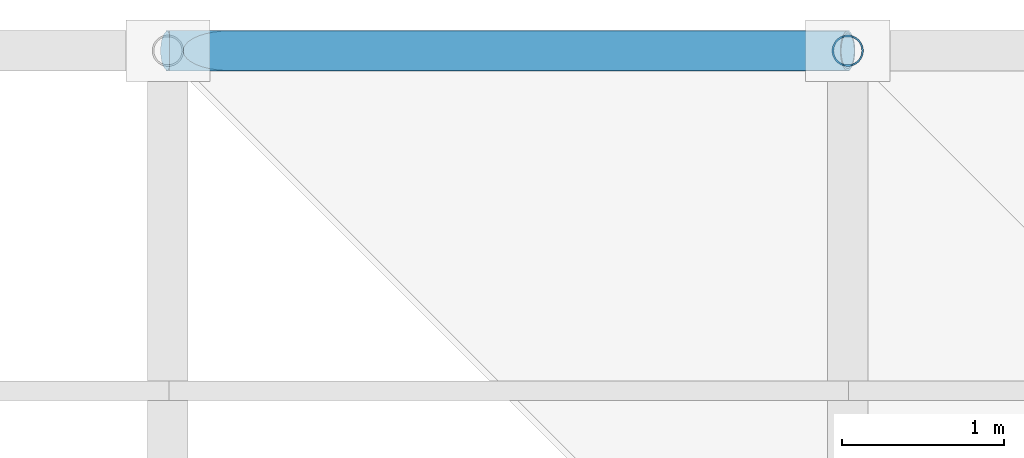
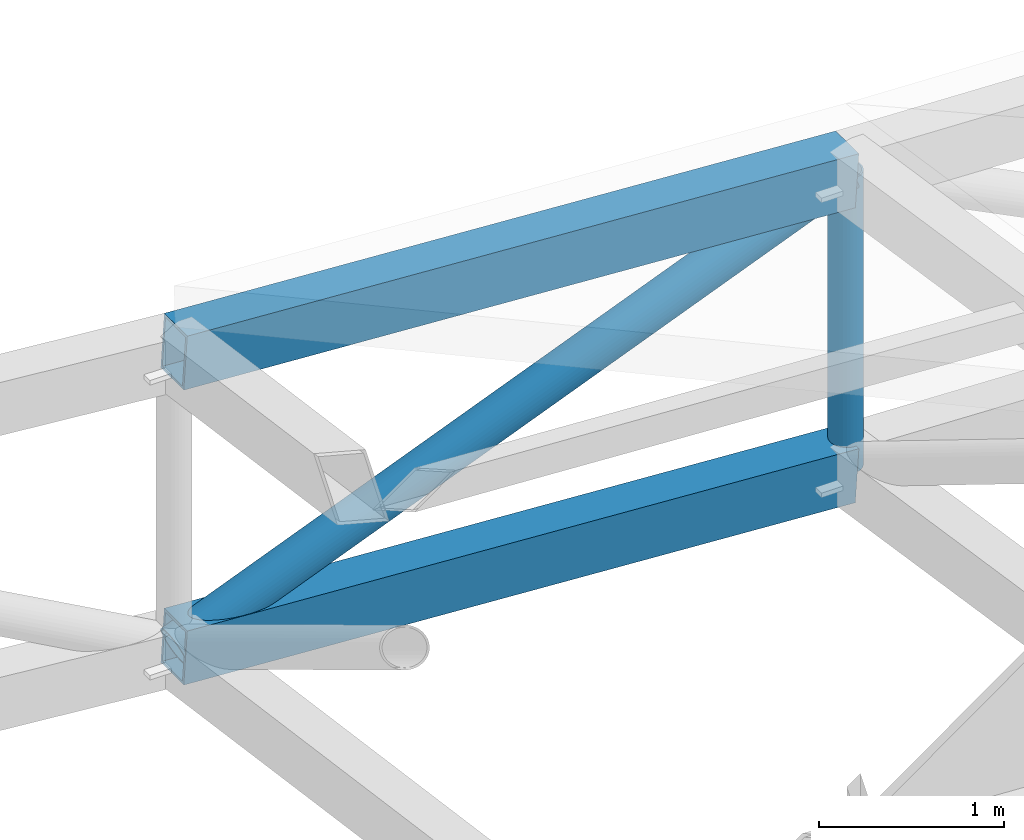
# One storey, part 38 of 111: 4 members.
"""IFC4 building model written with IfcOpenShell, lengths in metres."""

from ifc_helpers import new_model, si_unit, direction, frame, origin, origin_2d, place, context, subcontext, project, spatial, hollow_rectangle, hollow_circle, extrude, material, material_profile, profile_set, type_object, element, save


model = new_model("IFC4")

# Units and contexts
model_context = context("Model", 3, precision=1e-05, world=origin(), true_north=direction((0.0, 1.0)))
body_context = subcontext(model_context, "Body", "Model", "MODEL_VIEW")
ifc_project = project(units=[si_unit("LENGTHUNIT", "METRE"), si_unit("AREAUNIT", "SQUARE_METRE"), si_unit("VOLUMEUNIT", "CUBIC_METRE"), si_unit("PLANEANGLEUNIT", "RADIAN"), si_unit("MASSUNIT", "GRAM", prefix="KILO")], contexts=[model_context])

# Site, building, storey
site_placement = place(None, origin())
site = spatial("IfcSite", under=ifc_project, at=site_placement, CompositionType="ELEMENT")
building_placement = place(site_placement, origin())
building = spatial("IfcBuilding", under=site, at=building_placement, Name="Cumbredor Promenade Congress Hotel", CompositionType="ELEMENT")
storey_placement = place(building_placement, frame((0.0, 0.0, 15.1201171875)))
storey = spatial("IfcBuildingStorey", under=building, at=storey_placement, Name="L04", CompositionType="ELEMENT", Elevation=15.1201171875)

# Members
ifc_material = material(Name="Steel ASTM A500 Grade C", Category="steel")
ifc_material_profile_1 = material_profile(ifc_material, hollow_rectangle(XDim=0.25, YDim=0.35009765625, WallThickness=0.01611328125, at=origin_2d()), Name="HSS 350x250x16")
ifc_profile_set_1 = profile_set([ifc_material_profile_1], Name="Steel ASTM A500 Grade C")
member_type_1 = type_object("IfcMemberType", Name="Forum Roof Truss Chord", PredefinedType="CHORD", material=ifc_profile_set_1)
for number, where, z_axis, x_axis, name in (
    (1, (121.800048828125, 121.800048828125, 3.119384765625), (0.998024259177, 0.0, -0.06282975485), (0.0, 1.0, 0.0), "Pre-Function and Breakout Meeting Forum X Top Chord 9.11"),
    (2, (121.800048828125, 121.800048828125, 1.16943359375), (0.998024259177, 0.0, -0.06282975485), (0.0, 1.0, 0.0), "Pre-Function and Breakout Meeting Forum X Bottom Chord 9.11"),
):
    element("IfcMember", number, at=place(storey_placement, frame(where, z_axis=z_axis, x_axis=x_axis)), inside=storey, type_object=member_type_1, Name=name, PredefinedType="CHORD", context=body_context, shape_type="SweptSolid", body=[
        extrude(hollow_rectangle(XDim=0.25, YDim=0.35009765625, WallThickness=0.01611328125, at=origin_2d()), origin(), (0.0, 0.0, 1.0), 4.208251953125),
    ])
ifc_material_profile_2 = material_profile(ifc_material, hollow_circle(Radius=0.122314453125, WallThickness=0.012451171875, at=origin_2d()), Name="CHS 244.5x12.5")
ifc_profile_set_2 = profile_set([ifc_material_profile_2], Name="Steel ASTM A500 Grade C")
member_type_2 = type_object("IfcMemberType", Name="Space Frame Web Diagonal D2", PredefinedType="BRACE", material=ifc_profile_set_2)
member_1_placement = place(storey_placement, frame((121.800048828125, 121.800048828125, 1.16943359375), z_axis=(0.928051949605, 0.0, 0.372450773706), x_axis=(0.0, 1.0, 0.0)))
element("IfcMember", 3, at=member_1_placement, inside=storey, type_object=member_type_2, Name="Pre-Function and Breakout Meeting Forum X Web Diagonal 9.11", PredefinedType="BRACE", context=body_context, shape_type="SweptSolid", body=[
    extrude(hollow_circle(Radius=0.122314453125, WallThickness=0.012451171875, at=origin_2d()), origin(), (0.0, 0.0, 1.0), 4.525634765625),
])
ifc_material_profile_3 = material_profile(ifc_material, hollow_circle(Radius=0.096923828125, WallThickness=0.010009765625, at=origin_2d()), Name="CHS 193.7x10")
ifc_profile_set_3 = profile_set([ifc_material_profile_3], Name="Steel ASTM A500 Grade C")
member_type_3 = type_object("IfcMemberType", Name="Space Frame Web Post P1", PredefinedType="BRACE", material=ifc_profile_set_3)
member_2_placement = place(storey_placement, frame((126.0, 121.800048828125, 0.905029296875), z_axis=(0.0, 0.0, 1.0), x_axis=(1.0, 0.0, 0.0)))
element("IfcMember", 4, at=member_2_placement, inside=storey, type_object=member_type_3, Name="Pre-Function and Breakout Meeting Forum Space Frame Web Post 10.11", PredefinedType="BRACE", context=body_context, shape_type="SweptSolid", body=[
    extrude(hollow_circle(Radius=0.096923828125, WallThickness=0.010009765625, at=origin_2d()), origin(), (0.0, 0.0, 1.0), 1.949951171875),
])

save(model, "model.ifc")
